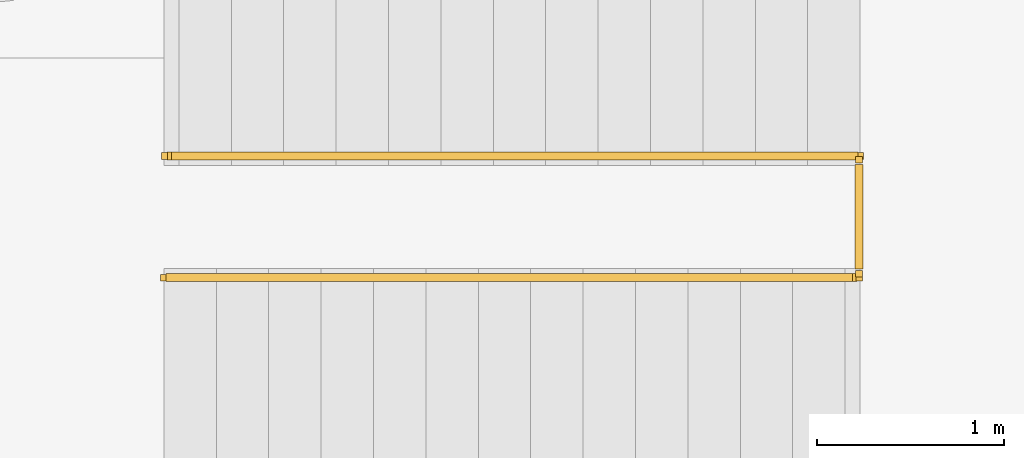
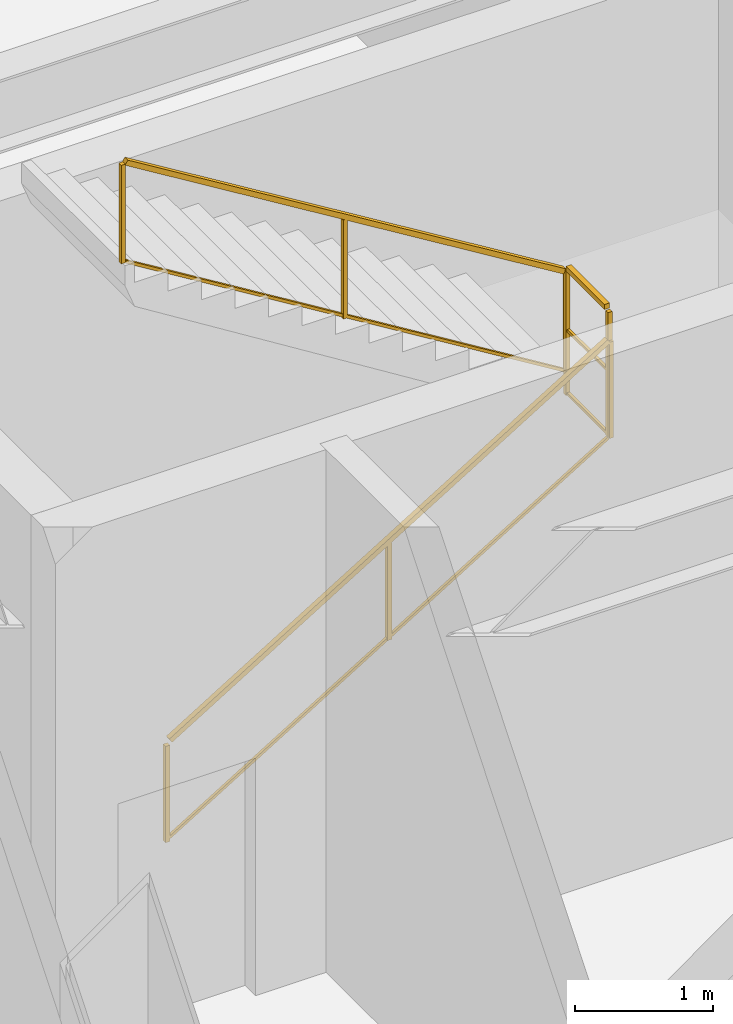
# One storey, part 27 of 28: 3 railings.
"""IFC4 building model written with IfcOpenShell, lengths in metres."""

import ifcopenshell
import ifcopenshell.guid

model = None  # the IFC model being written
_history = None  # IfcOwnerHistory: only IFC2X3 demands one
_inside = {}  # id of a spatial element -> (the spatial element, [elements in it])
_under = {}  # id of a project, library or spatial element -> (it, [spatial elements below it])
_declared = {}  # id of a project -> (the project, [libraries it declares])
_typed = {}  # id of a type object -> (the type object, [elements of that type])
_made_of = {}  # id of a material, layer set ... -> (it, [elements and type objects made of it])


def new_model(schema):
    """Start an empty IFC model of exactly this schema.

    Asked for "IFC4X3", IfcOpenShell would pick the latest addendum, in which some entities
    have other attributes; the version numbers below select the first issue.
    IFC2X3 requires an IfcOwnerHistory on every rooted entity: one is made here for all.
    """
    global model, _history
    if schema == "IFC4X3":
        model = ifcopenshell.file(schema_version=(4, 3, 0, 0))
    else:
        model = ifcopenshell.file(schema=schema)
    _inside.clear()
    _under.clear()
    _declared.clear()
    _typed.clear()
    _made_of.clear()
    _history = None
    if model.schema == "IFC2X3":
        org = make("IfcOrganization", Name="unknown")
        user = make(
            "IfcPersonAndOrganization",
            ThePerson=make("IfcPerson", FamilyName="unknown"),
            TheOrganization=org,
        )
        app = make(
            "IfcApplication",
            ApplicationDeveloper=org,
            Version="unknown",
            ApplicationFullName="unknown",
            ApplicationIdentifier="unknown",
        )
        _history = make(
            "IfcOwnerHistory",
            OwningUser=user,
            OwningApplication=app,
            ChangeAction="ADDED",
            CreationDate=0,
        )
    return model


def make(cls, **values):
    """One entity of the class cls with the attributes given. An attribute that is None is left unset."""
    return model.create_entity(
        cls, **{name: value for name, value in values.items() if value is not None}
    )


def rooted(cls, **values):
    """An entity with a GlobalId (a new one), such as an element, a storey or a relation."""
    return make(cls, GlobalId=ifcopenshell.guid.new(), OwnerHistory=_history, **values)


def si_unit(unit_type, name, prefix=None):
    """IfcSIUnit, for example si_unit("LENGTHUNIT", "METRE", prefix="MILLI")."""
    return make("IfcSIUnit", UnitType=unit_type, Prefix=prefix, Name=name)


def assignment(units):
    """IfcUnitAssignment: the units of a project."""
    return None if units is None else make("IfcUnitAssignment", Units=units)


def point(xyz):
    """IfcCartesianPoint."""
    return None if xyz is None else make("IfcCartesianPoint", Coordinates=xyz)


def direction(xyz):
    """IfcDirection."""
    return None if xyz is None else make("IfcDirection", DirectionRatios=xyz)


def frame(location, z_axis=None, x_axis=None):
    """IfcAxis2Placement3D, a coordinate frame: its origin and axes. An axis left out is left unset."""
    return make(
        "IfcAxis2Placement3D",
        Location=point(location),
        Axis=direction(z_axis),
        RefDirection=direction(x_axis),
    )


def frame_2d(location, x_axis=None):
    """IfcAxis2Placement2D, a coordinate frame in the plane: its origin and x axis."""
    return make(
        "IfcAxis2Placement2D", Location=point(location), RefDirection=direction(x_axis)
    )


def origin():
    """The frame at (0, 0, 0) with its axes left unset."""
    return frame((0.0, 0.0, 0.0))


def origin_2d():
    """The frame at (0, 0) in the plane with its x axis left unset."""
    return frame_2d((0.0, 0.0))


def place(relative_to, where):
    """IfcLocalPlacement: puts the frame where relative to a parent placement (None: the world)."""
    return make(
        "IfcLocalPlacement", PlacementRelTo=relative_to, RelativePlacement=where
    )


def context(
    kind, dimensions, precision=None, world=None, true_north=None, identifier=None
):
    """IfcGeometricRepresentationContext, for example the 3D "Model" context."""
    return make(
        "IfcGeometricRepresentationContext",
        ContextIdentifier=identifier,
        ContextType=kind,
        CoordinateSpaceDimension=dimensions,
        Precision=precision,
        WorldCoordinateSystem=world,
        TrueNorth=true_north,
    )


def subcontext(parent, identifier, kind, view, scale=None):
    """IfcGeometricRepresentationSubContext, for example "Body" below "Model"."""
    return make(
        "IfcGeometricRepresentationSubContext",
        ContextIdentifier=identifier,
        ContextType=kind,
        ParentContext=parent,
        TargetScale=scale,
        TargetView=view,
    )


def project(units=None, contexts=None):
    """IfcProject with its units and contexts."""
    return rooted(
        "IfcProject",
        Name="project",
        RepresentationContexts=contexts,
        UnitsInContext=assignment(units),
    )


def spatial(cls, under=None, at=None, **own):
    """A site, building, storey or space (cls), placed at a placement, below another one or the project."""
    s = rooted(cls, ObjectPlacement=at, **own)
    if under is not None:
        _under.setdefault(under.id(), (under, []))[1].append(s)
    return s


def profile(cls, at=None, kind="AREA", **sizes):
    """A parametric profile (cls). Its sizes go by their IFC names, for example OverallWidth=200.0."""
    return make(cls, ProfileType=kind, Position=at, **sizes)


def rectangle(**sizes):
    """IfcRectangleProfileDef."""
    return profile("IfcRectangleProfileDef", **sizes)


def extrude(swept, where, along, depth):
    """IfcExtrudedAreaSolid: the profile swept, set in the frame where, extruded along a direction by depth."""
    return make(
        "IfcExtrudedAreaSolid",
        SweptArea=swept,
        Position=where,
        ExtrudedDirection=direction(along),
        Depth=depth,
    )


def shape(context_of_items, identifier, shape_type, items):
    """IfcShapeRepresentation: the items that make up one representation, for example the "Body"."""
    return make(
        "IfcShapeRepresentation",
        ContextOfItems=context_of_items,
        RepresentationIdentifier=identifier,
        RepresentationType=shape_type,
        Items=items,
    )


def material(Name=None, Category=None):
    """IfcMaterial."""
    return make("IfcMaterial", Name=Name, Category=Category)


def made_of(thing, what):
    """Note that an element or type object is made of a material, layer set ...; save() writes the relation."""
    if what is not None:
        _made_of.setdefault(what.id(), (what, []))[1].append(thing)
    return thing


def type_object(cls, material=None, **own):
    """A type object (cls), such as IfcWallType, which elements share."""
    return made_of(rooted(cls, **own), material)


def element(
    cls,
    number,
    at=None,
    inside=None,
    cuts=None,
    type_object=None,
    material=None,
    context=None,
    identifier="Body",
    shape_type=None,
    held_by="IfcProductDefinitionShape",
    body=None,
    shapes=None,
    **own,
):
    """One element of the class cls, such as IfcWall. Its Tag is "e" and its number.

    at: its placement. inside: the storey or other place that contains it. cuts: it is an
    opening in that element (IfcRelVoidsElement). A single representation is given by context,
    identifier, shape_type and body (its items); several are given by shapes. held_by: the class
    of the entity that holds the representations. save() writes the other relations.
    """
    e = rooted(cls, Tag="e%d" % number, ObjectPlacement=at, **own)
    if body is not None:
        shapes = [shape(context, identifier, shape_type, body)]
    if shapes is not None:
        e.Representation = make(held_by, Representations=shapes)
    if inside is not None:
        _inside.setdefault(inside.id(), (inside, []))[1].append(e)
    if cuts is not None:
        rooted(
            "IfcRelVoidsElement", RelatingBuildingElement=cuts, RelatedOpeningElement=e
        )
    if type_object is not None:
        _typed.setdefault(type_object.id(), (type_object, []))[1].append(e)
    return made_of(e, material)


def aggregate(whole, parts):
    """IfcRelAggregates: a whole, such as a stair, and the parts it consists of."""
    return rooted("IfcRelAggregates", RelatingObject=whole, RelatedObjects=parts)


def save(model, path):
    """Write the relations noted so far, then the file.

    IfcRelAggregates (storeys below a building ...), IfcRelContainedInSpatialStructure (elements
    in a storey), IfcRelDefinesByType, IfcRelAssociatesMaterial and IfcRelDeclares: one each for
    every whole, place, type object, material and project.
    """
    for whole, parts in _under.values():
        aggregate(whole, parts)
    for where, things in _inside.values():
        rooted(
            "IfcRelContainedInSpatialStructure",
            RelatedElements=things,
            RelatingStructure=where,
        )
    for kind, things in _typed.values():
        rooted("IfcRelDefinesByType", RelatedObjects=things, RelatingType=kind)
    for what, things in _made_of.values():
        rooted("IfcRelAssociatesMaterial", RelatedObjects=things, RelatingMaterial=what)
    for by, libraries in _declared.values():
        rooted("IfcRelDeclares", RelatingContext=by, RelatedDefinitions=libraries)
    model.write(path)


model = new_model("IFC4")

# Units and contexts
model_context = context("Model", 3, precision=1e-05, world=origin(), true_north=direction((0.0, 1.0)))
body_context = subcontext(model_context, "Body", "Model", "MODEL_VIEW")
ifc_project = project(units=[si_unit("LENGTHUNIT", "METRE"), si_unit("AREAUNIT", "SQUARE_METRE"), si_unit("VOLUMEUNIT", "CUBIC_METRE"), si_unit("PLANEANGLEUNIT", "RADIAN"), si_unit("MASSUNIT", "GRAM", prefix="KILO")], contexts=[model_context])

# Site, building, storey
site_placement = place(None, origin())
site = spatial("IfcSite", under=ifc_project, at=site_placement, CompositionType="ELEMENT")
building_placement = place(site_placement, origin())
building = spatial("IfcBuilding", under=site, at=building_placement, Name="Kazanami Central Library", CompositionType="ELEMENT")
storey_placement = place(building_placement, frame((0.0, 0.0, -4.89990234375)))
storey = spatial("IfcBuildingStorey", under=building, at=storey_placement, Name="B01", CompositionType="ELEMENT", Elevation=-4.89990234375)

# Railings
ifc_material = material(Name="Stainless Steel SUS304", Category="steel")
railing_type_1 = type_object("IfcRailingType", Name="RAL-GR-S1", PredefinedType="GUARDRAIL", material=ifc_material)
railing_1_placement = place(storey_placement, frame((159.10791015625, 82.844970703125, 2.449951171875)))
element("IfcRailing", 1, at=railing_1_placement, inside=storey, type_object=railing_type_1, Name="Half-Landing Well Guard ST-02 B01", PredefinedType="GUARDRAIL", context=body_context, shape_type="SweptSolid", body=[
    extrude(rectangle(XDim=0.0439453125, YDim=0.0439453125, at=origin_2d()), frame((0.0, 0.02587890625, 1.1279296875), z_axis=(0.0, 1.0, 0.0), x_axis=(-1.0, 0.0, 0.0)), (0.0, 0.0, 1.0), 0.55810546875),
    extrude(rectangle(XDim=0.02392578125, YDim=0.02392578125, at=origin_2d()), frame((0.0, 0.02587890625, 0.015869140625), z_axis=(0.0, 1.0, 0.0), x_axis=(-1.0, 0.0, 0.0)), (0.0, 0.0, 1.0), 0.55810546875),
    extrude(rectangle(XDim=0.02392578125, YDim=0.02392578125, at=origin_2d()), frame((0.0, 0.02587890625, 0.574951171875), z_axis=(0.0, 1.0, 0.0), x_axis=(-1.0, 0.0, 0.0)), (0.0, 0.0, 1.0), 0.55810546875),
    extrude(rectangle(XDim=0.035888671875, YDim=0.035888671875, at=origin_2d()), origin(), (0.0, 0.0, 1.0), 1.10205078125),
    extrude(rectangle(XDim=0.035888671875, YDim=0.035888671875, at=origin_2d()), frame((0.0, 0.610107421875, 0.0)), (0.0, 0.0, 1.0), 1.10205078125),
])
railing_type_2 = type_object("IfcRailingType", Name="RAL-HR-01", PredefinedType="HANDRAIL", material=ifc_material)
railing_2_placement = place(storey_placement, frame((155.39404296875, 82.824951171875, 0.1748046875)))
element("IfcRailing", 2, at=railing_2_placement, inside=storey, type_object=railing_type_2, Name="Stair Handrail ST-02 Flight 1 (B01)", PredefinedType="HANDRAIL", context=body_context, shape_type="SweptSolid", body=[
    extrude(rectangle(XDim=0.0439453125, YDim=0.0439453125, at=origin_2d()), frame((0.022216796875, 0.0, 0.8916015625), z_axis=(0.852713216227, 0.0, 0.522379336183), x_axis=(0.0, 1.0, 0.0)), (0.0, 0.0, 1.0), 4.303466796875),
    extrude(rectangle(XDim=0.02392578125, YDim=0.02392578125, at=origin_2d()), frame((0.022216796875, 0.0, 0.029541015625), z_axis=(0.852713216227, 0.0, 0.522379336183), x_axis=(0.0, 1.0, 0.0)), (0.0, 0.0, 1.0), 4.303466796875),
    extrude(rectangle(XDim=0.035888671875, YDim=0.035888671875, at=origin_2d()), origin(), (0.0, 0.0, 1.0), 0.85205078125),
    extrude(rectangle(XDim=0.035888671875, YDim=0.035888671875, at=origin_2d()), frame((1.85693359375, 0.0, 1.1376953125)), (0.0, 0.0, 1.0), 0.85205078125),
    extrude(rectangle(XDim=0.035888671875, YDim=0.035888671875, at=origin_2d()), frame((3.7138671875, 0.0, 2.275146484375)), (0.0, 0.0, 1.0), 0.85205078125),
])
railing_type_3 = type_object("IfcRailingType", Name="RAL-HR-02", PredefinedType="HANDRAIL", material=ifc_material)
railing_3_placement = place(storey_placement, frame((159.114013671875, 83.47509765625, 2.625)))
element("IfcRailing", 3, at=railing_3_placement, inside=storey, type_object=railing_type_3, Name="Stair Handrail ST-02 Flight 2 (B01)", PredefinedType="HANDRAIL", context=body_context, shape_type="SweptSolid", body=[
    extrude(rectangle(XDim=0.0439453125, YDim=0.0439453125, at=origin_2d()), frame((-0.022216796875, 0.0, 0.91162109375), z_axis=(-0.852753478588, 0.0, 0.52231360767), x_axis=(0.0, -1.0, 0.0)), (0.0, 0.0, 1.0), 4.303466796875),
    extrude(rectangle(XDim=0.02392578125, YDim=0.02392578125, at=origin_2d()), frame((-0.022216796875, 0.0, 0.029541015625), z_axis=(-0.852753478588, 0.0, 0.52231360767), x_axis=(0.0, -1.0, 0.0)), (0.0, 0.0, 1.0), 4.303466796875),
    extrude(rectangle(XDim=0.035888671875, YDim=0.035888671875, at=origin_2d()), origin(), (0.0, 0.0, 1.0), 0.8720703125),
    extrude(rectangle(XDim=0.035888671875, YDim=0.035888671875, at=origin_2d()), frame((-1.85693359375, 0.0, 1.137451171875)), (0.0, 0.0, 1.0), 0.8720703125),
    extrude(rectangle(XDim=0.035888671875, YDim=0.035888671875, at=origin_2d()), frame((-3.714111328125, 0.0, 2.27490234375)), (0.0, 0.0, 1.0), 0.8720703125),
])

save(model, "model.ifc")
